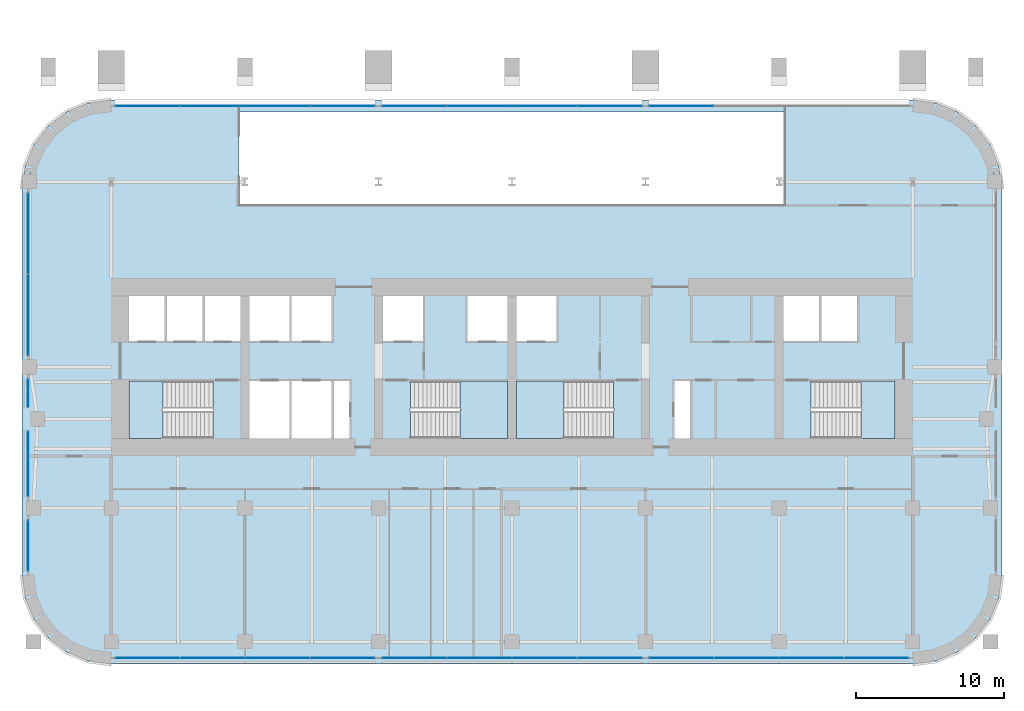
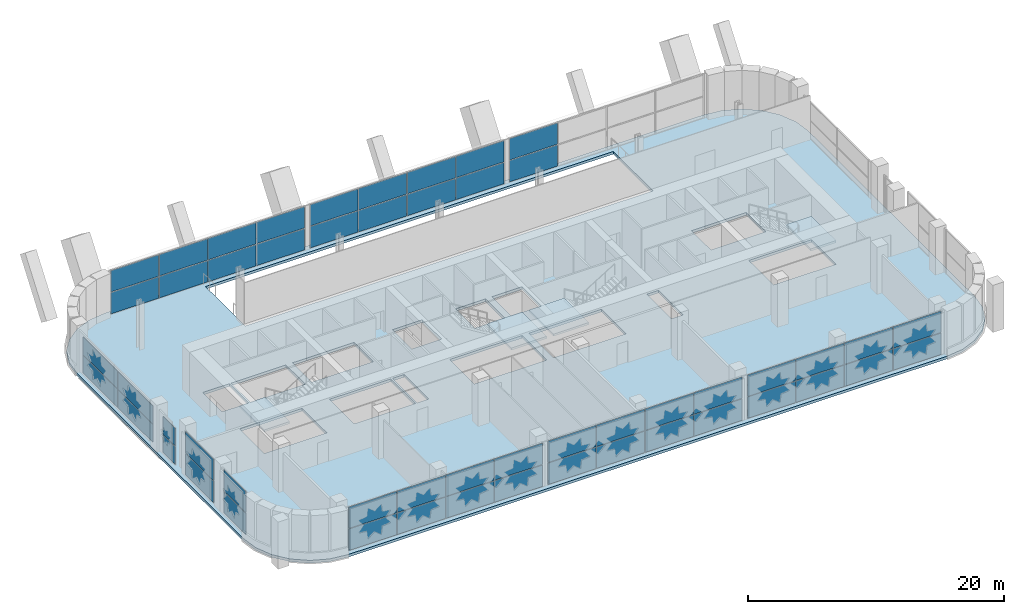
# One storey, part 11 of 21: 52 plates, 5 slabs, 14 elements without a shape of their own.
"""IFC4 building model written with IfcOpenShell, lengths in metres."""

from ifc_helpers import new_model, si_unit, direction, frame, origin, origin_2d, place, context, subcontext, project, spatial, polyline, rectangle, outline, extrude, material, layer, layer_set, type_object, element, aggregate, save


model = new_model("IFC4")

# Units and contexts
model_context = context("Model", 3, precision=1e-05, world=origin(), true_north=direction((0.0, 1.0)))
body_context = subcontext(model_context, "Body", "Model", "MODEL_VIEW")
ifc_project = project(units=[si_unit("LENGTHUNIT", "METRE"), si_unit("AREAUNIT", "SQUARE_METRE"), si_unit("VOLUMEUNIT", "CUBIC_METRE"), si_unit("PLANEANGLEUNIT", "RADIAN"), si_unit("MASSUNIT", "GRAM", prefix="KILO")], contexts=[model_context])

# Site, building, storey
site_placement = place(None, origin())
site = spatial("IfcSite", under=ifc_project, at=site_placement, CompositionType="ELEMENT")
building_placement = place(site_placement, origin())
building = spatial("IfcBuilding", under=site, at=building_placement, Name="Zellij Exchange Tower", CompositionType="ELEMENT")
storey_placement = place(building_placement, frame((0.0, 0.0, 43.5)))
storey = spatial("IfcBuildingStorey", under=building, at=storey_placement, Name="L07", CompositionType="ELEMENT", Elevation=43.5)

# Stair, slab
ifc_material_1 = material(Name="Concrete C40/50", Category="concrete")
stair_type = type_object("IfcStairType", Name="CORE-ST exit stair 1850 wide", PredefinedType="HALF_TURN_STAIR", material=ifc_material_1)
stair_1_placement = place(storey_placement, origin())
stair_1 = element("IfcStair", 1, at=stair_1_placement, inside=storey, type_object=stair_type, Name="L07 exit stair ST1", PredefinedType="HALF_TURN_STAIR")
ifc_layer_1 = layer(ifc_material_1, 0.199951171875)
ifc_layer_set_1 = layer_set([ifc_layer_1], Name="Concrete C40/50")
slab_type_1 = type_object("IfcSlabType", Name="CORE-SL stair landing 200", PredefinedType="LANDING", material=ifc_layer_set_1)
slab_1_placement = place(storey_placement, frame((0.0, 0.0, 2.050048828125)))
slab_1 = element("IfcSlab", 2, at=slab_1_placement, type_object=slab_type_1, Name="ST1 landing 1", PredefinedType="LANDING", context=body_context, shape_type="SweptSolid", body=[
    extrude(outline(polyline([(-23.510009765625, -8.949951171875), (-25.800048828125, -8.949951171875), (-25.800048828125, -12.800048828125), (-23.510009765625, -12.800048828125), (-23.510009765625, -8.949951171875)])), origin(), (0.0, 0.0, 1.0), 0.199951171875),
])
aggregate(stair_1, [slab_1])

stair_2_placement = place(storey_placement, origin())
stair_2 = element("IfcStair", 3, at=stair_2_placement, inside=storey, type_object=stair_type, Name="L07 exit stair ST2", PredefinedType="HALF_TURN_STAIR")
slab_2_placement = place(storey_placement, frame((0.0, 0.0, 2.050048828125)))
slab_2 = element("IfcSlab", 4, at=slab_2_placement, type_object=slab_type_1, Name="ST2 landing 1", PredefinedType="LANDING", context=body_context, shape_type="SweptSolid", body=[
    extrude(outline(polyline([(-3.489990234375, -12.800048828125), (-0.300048828125, -12.800048828125), (-0.300048828125, -8.949951171875), (-3.489990234375, -8.949951171875), (-3.489990234375, -12.800048828125)])), origin(), (0.0, 0.0, 1.0), 0.199951171875),
])
aggregate(stair_2, [slab_2])

stair_3_placement = place(storey_placement, origin())
stair_3 = element("IfcStair", 5, at=stair_3_placement, inside=storey, type_object=stair_type, Name="L07 exit stair ST3", PredefinedType="HALF_TURN_STAIR")
slab_3_placement = place(storey_placement, frame((0.0, 0.0, 2.050048828125)))
slab_3 = element("IfcSlab", 6, at=slab_3_placement, type_object=slab_type_1, Name="ST3 landing 1", PredefinedType="LANDING", context=body_context, shape_type="SweptSolid", body=[
    extrude(outline(polyline([(3.489990234375, -8.949951171875), (0.300048828125, -8.949951171875), (0.300048828125, -12.800048828125), (3.489990234375, -12.800048828125), (3.489990234375, -8.949951171875)])), origin(), (0.0, 0.0, 1.0), 0.199951171875),
])
aggregate(stair_3, [slab_3])

stair_4_placement = place(storey_placement, origin())
stair_4 = element("IfcStair", 7, at=stair_4_placement, inside=storey, type_object=stair_type, Name="L07 exit stair ST4", PredefinedType="HALF_TURN_STAIR")
slab_4_placement = place(storey_placement, frame((0.0, 0.0, 2.050048828125)))
slab_4 = element("IfcSlab", 8, at=slab_4_placement, type_object=slab_type_1, Name="ST4 landing 1", PredefinedType="LANDING", context=body_context, shape_type="SweptSolid", body=[
    extrude(outline(polyline([(23.510009765625, -12.800048828125), (25.800048828125, -12.800048828125), (25.800048828125, -8.949951171875), (23.510009765625, -8.949951171875), (23.510009765625, -12.800048828125)])), origin(), (0.0, 0.0, 1.0), 0.199951171875),
])
aggregate(stair_4, [slab_4])

# Curtain wall, plates
ifc_material_2 = material(Name="Aluminium frame, clear insulating glass", Category="aluminium")
curtain_wall_type = type_object("IfcCurtainWallType", Name="ENV-CW1 Sky-garden glazing", PredefinedType="NOTDEFINED", material=ifc_material_2)
curtain_wall_1_placement = place(storey_placement, origin())
curtain_wall_1 = element("IfcCurtainWall", 9, at=curtain_wall_1_placement, inside=storey, type_object=curtain_wall_type, Name="cw.L07.00a", PredefinedType="NOTDEFINED")
ifc_material_3 = material(Name="Insulating glass unit, clear", Category="glass")
ifc_layer_2 = layer(ifc_material_3, 0.031982421875)
ifc_layer_set_2 = layer_set([ifc_layer_2], Name="Insulating glass unit, clear")
plate_type = type_object("IfcPlateType", Name="ENV-CW1P Glazed panel 32", PredefinedType="CURTAIN_PANEL", material=ifc_layer_set_2)
plate_1_placement = place(storey_placement, frame((-24.56201171875, -27.60009765625, 0.06005859375), z_axis=(0.0, 0.0, 1.0), x_axis=(1.0, 0.0, 0.0)))
plate_1 = element("IfcPlate", 10, at=plate_1_placement, type_object=plate_type, Name="CW1 panel 1.1", PredefinedType="CURTAIN_PANEL", context=body_context, shape_type="SweptSolid", body=[
    extrude(rectangle(XDim=4.303466796875, YDim=0.031982421875, at=origin_2d()), origin(), (0.0, 0.0, 1.0), 2.034912109375),
])
plate_2_placement = place(storey_placement, frame((-24.56201171875, -27.60009765625, 2.1552734375), z_axis=(0.0, 0.0, 1.0), x_axis=(1.0, 0.0, 0.0)))
plate_2 = element("IfcPlate", 11, at=plate_2_placement, type_object=plate_type, Name="CW1 panel 1.2", PredefinedType="CURTAIN_PANEL", context=body_context, shape_type="SweptSolid", body=[
    extrude(rectangle(XDim=4.303466796875, YDim=0.031982421875, at=origin_2d()), origin(), (0.0, 0.0, 1.0), 2.034912109375),
])
plate_3_placement = place(storey_placement, frame((-20.18359375, -27.60009765625, 0.06005859375), z_axis=(0.0, 0.0, 1.0), x_axis=(1.0, 0.0, 0.0)))
plate_3 = element("IfcPlate", 12, at=plate_3_placement, type_object=plate_type, Name="CW1 panel 2.1", PredefinedType="CURTAIN_PANEL", context=body_context, shape_type="SweptSolid", body=[
    extrude(rectangle(XDim=4.33349609375, YDim=0.031982421875, at=origin_2d()), origin(), (0.0, 0.0, 1.0), 2.034912109375),
])
plate_4_placement = place(storey_placement, frame((-20.18359375, -27.60009765625, 2.1552734375), z_axis=(0.0, 0.0, 1.0), x_axis=(1.0, 0.0, 0.0)))
plate_4 = element("IfcPlate", 13, at=plate_4_placement, type_object=plate_type, Name="CW1 panel 2.2", PredefinedType="CURTAIN_PANEL", context=body_context, shape_type="SweptSolid", body=[
    extrude(rectangle(XDim=4.33349609375, YDim=0.031982421875, at=origin_2d()), origin(), (0.0, 0.0, 1.0), 2.034912109375),
])
plate_5_placement = place(storey_placement, frame((-15.790283203125, -27.60009765625, 0.06005859375), z_axis=(0.0, 0.0, 1.0), x_axis=(1.0, 0.0, 0.0)))
plate_5 = element("IfcPlate", 14, at=plate_5_placement, type_object=plate_type, Name="CW1 panel 3.1", PredefinedType="CURTAIN_PANEL", context=body_context, shape_type="SweptSolid", body=[
    extrude(rectangle(XDim=4.33349609375, YDim=0.031982421875, at=origin_2d()), origin(), (0.0, 0.0, 1.0), 2.034912109375),
])
plate_6_placement = place(storey_placement, frame((-15.790283203125, -27.60009765625, 2.1552734375), z_axis=(0.0, 0.0, 1.0), x_axis=(1.0, 0.0, 0.0)))
plate_6 = element("IfcPlate", 15, at=plate_6_placement, type_object=plate_type, Name="CW1 panel 3.2", PredefinedType="CURTAIN_PANEL", context=body_context, shape_type="SweptSolid", body=[
    extrude(rectangle(XDim=4.33349609375, YDim=0.031982421875, at=origin_2d()), origin(), (0.0, 0.0, 1.0), 2.034912109375),
])
plate_7_placement = place(storey_placement, frame((-11.41162109375, -27.60009765625, 0.06005859375), z_axis=(0.0, 0.0, 1.0), x_axis=(1.0, 0.0, 0.0)))
plate_7 = element("IfcPlate", 16, at=plate_7_placement, type_object=plate_type, Name="CW1 panel 4.1", PredefinedType="CURTAIN_PANEL", context=body_context, shape_type="SweptSolid", body=[
    extrude(rectangle(XDim=4.303466796875, YDim=0.031982421875, at=origin_2d()), origin(), (0.0, 0.0, 1.0), 2.034912109375),
])
plate_8_placement = place(storey_placement, frame((-11.41162109375, -27.60009765625, 2.1552734375), z_axis=(0.0, 0.0, 1.0), x_axis=(1.0, 0.0, 0.0)))
plate_8 = element("IfcPlate", 17, at=plate_8_placement, type_object=plate_type, Name="CW1 panel 4.2", PredefinedType="CURTAIN_PANEL", context=body_context, shape_type="SweptSolid", body=[
    extrude(rectangle(XDim=4.303466796875, YDim=0.031982421875, at=origin_2d()), origin(), (0.0, 0.0, 1.0), 2.034912109375),
])
aggregate(curtain_wall_1, [plate_1, plate_2, plate_3, plate_4, plate_5, plate_6, plate_7, plate_8])

curtain_wall_2_placement = place(storey_placement, origin())
curtain_wall_2 = element("IfcCurtainWall", 18, at=curtain_wall_2_placement, inside=storey, type_object=curtain_wall_type, Name="cw.L07.00b", PredefinedType="NOTDEFINED")
plate_9_placement = place(storey_placement, frame((-6.5849609375, -27.60009765625, 0.06005859375), z_axis=(0.0, 0.0, 1.0), x_axis=(1.0, 0.0, 0.0)))
plate_9 = element("IfcPlate", 19, at=plate_9_placement, type_object=plate_type, Name="CW1 panel 1.1", PredefinedType="CURTAIN_PANEL", context=body_context, shape_type="SweptSolid", body=[
    extrude(rectangle(XDim=4.31005859375, YDim=0.031982421875, at=origin_2d()), origin(), (0.0, 0.0, 1.0), 2.034912109375),
])
plate_10_placement = place(storey_placement, frame((-6.5849609375, -27.60009765625, 2.1552734375), z_axis=(0.0, 0.0, 1.0), x_axis=(1.0, 0.0, 0.0)))
plate_10 = element("IfcPlate", 20, at=plate_10_placement, type_object=plate_type, Name="CW1 panel 1.2", PredefinedType="CURTAIN_PANEL", context=body_context, shape_type="SweptSolid", body=[
    extrude(rectangle(XDim=4.31005859375, YDim=0.031982421875, at=origin_2d()), origin(), (0.0, 0.0, 1.0), 2.034912109375),
])
plate_11_placement = place(storey_placement, frame((-2.199951171875, -27.60009765625, 0.06005859375), z_axis=(0.0, 0.0, 1.0), x_axis=(1.0, 0.0, 0.0)))
plate_11 = element("IfcPlate", 21, at=plate_11_placement, type_object=plate_type, Name="CW1 panel 2.1", PredefinedType="CURTAIN_PANEL", context=body_context, shape_type="SweptSolid", body=[
    extrude(rectangle(XDim=4.340087890625, YDim=0.031982421875, at=origin_2d()), origin(), (0.0, 0.0, 1.0), 2.034912109375),
])
plate_12_placement = place(storey_placement, frame((-2.199951171875, -27.60009765625, 2.1552734375), z_axis=(0.0, 0.0, 1.0), x_axis=(1.0, 0.0, 0.0)))
plate_12 = element("IfcPlate", 22, at=plate_12_placement, type_object=plate_type, Name="CW1 panel 2.2", PredefinedType="CURTAIN_PANEL", context=body_context, shape_type="SweptSolid", body=[
    extrude(rectangle(XDim=4.340087890625, YDim=0.031982421875, at=origin_2d()), origin(), (0.0, 0.0, 1.0), 2.034912109375),
])
plate_13_placement = place(storey_placement, frame((2.199951171875, -27.60009765625, 0.06005859375), z_axis=(0.0, 0.0, 1.0), x_axis=(1.0, 0.0, 0.0)))
plate_13 = element("IfcPlate", 23, at=plate_13_placement, type_object=plate_type, Name="CW1 panel 3.1", PredefinedType="CURTAIN_PANEL", context=body_context, shape_type="SweptSolid", body=[
    extrude(rectangle(XDim=4.340087890625, YDim=0.031982421875, at=origin_2d()), origin(), (0.0, 0.0, 1.0), 2.034912109375),
])
plate_14_placement = place(storey_placement, frame((2.199951171875, -27.60009765625, 2.1552734375), z_axis=(0.0, 0.0, 1.0), x_axis=(1.0, 0.0, 0.0)))
plate_14 = element("IfcPlate", 24, at=plate_14_placement, type_object=plate_type, Name="CW1 panel 3.2", PredefinedType="CURTAIN_PANEL", context=body_context, shape_type="SweptSolid", body=[
    extrude(rectangle(XDim=4.340087890625, YDim=0.031982421875, at=origin_2d()), origin(), (0.0, 0.0, 1.0), 2.034912109375),
])
plate_15_placement = place(storey_placement, frame((6.5849609375, -27.60009765625, 0.06005859375), z_axis=(0.0, 0.0, 1.0), x_axis=(1.0, 0.0, 0.0)))
plate_15 = element("IfcPlate", 25, at=plate_15_placement, type_object=plate_type, Name="CW1 panel 4.1", PredefinedType="CURTAIN_PANEL", context=body_context, shape_type="SweptSolid", body=[
    extrude(rectangle(XDim=4.31005859375, YDim=0.031982421875, at=origin_2d()), origin(), (0.0, 0.0, 1.0), 2.034912109375),
])
plate_16_placement = place(storey_placement, frame((6.5849609375, -27.60009765625, 2.1552734375), z_axis=(0.0, 0.0, 1.0), x_axis=(1.0, 0.0, 0.0)))
plate_16 = element("IfcPlate", 26, at=plate_16_placement, type_object=plate_type, Name="CW1 panel 4.2", PredefinedType="CURTAIN_PANEL", context=body_context, shape_type="SweptSolid", body=[
    extrude(rectangle(XDim=4.31005859375, YDim=0.031982421875, at=origin_2d()), origin(), (0.0, 0.0, 1.0), 2.034912109375),
])
aggregate(curtain_wall_2, [plate_9, plate_10, plate_11, plate_12, plate_13, plate_14, plate_15, plate_16])

curtain_wall_3_placement = place(storey_placement, origin())
curtain_wall_3 = element("IfcCurtainWall", 27, at=curtain_wall_3_placement, inside=storey, type_object=curtain_wall_type, Name="cw.L07.00c", PredefinedType="NOTDEFINED")
plate_17_placement = place(storey_placement, frame((11.41162109375, -27.60009765625, 0.06005859375), z_axis=(0.0, 0.0, 1.0), x_axis=(1.0, 0.0, 0.0)))
plate_17 = element("IfcPlate", 28, at=plate_17_placement, type_object=plate_type, Name="CW1 panel 1.1", PredefinedType="CURTAIN_PANEL", context=body_context, shape_type="SweptSolid", body=[
    extrude(rectangle(XDim=4.303466796875, YDim=0.031982421875, at=origin_2d()), origin(), (0.0, 0.0, 1.0), 2.034912109375),
])
plate_18_placement = place(storey_placement, frame((11.41162109375, -27.60009765625, 2.1552734375), z_axis=(0.0, 0.0, 1.0), x_axis=(1.0, 0.0, 0.0)))
plate_18 = element("IfcPlate", 29, at=plate_18_placement, type_object=plate_type, Name="CW1 panel 1.2", PredefinedType="CURTAIN_PANEL", context=body_context, shape_type="SweptSolid", body=[
    extrude(rectangle(XDim=4.303466796875, YDim=0.031982421875, at=origin_2d()), origin(), (0.0, 0.0, 1.0), 2.034912109375),
])
plate_19_placement = place(storey_placement, frame((15.790283203125, -27.60009765625, 0.06005859375), z_axis=(0.0, 0.0, 1.0), x_axis=(1.0, 0.0, 0.0)))
plate_19 = element("IfcPlate", 30, at=plate_19_placement, type_object=plate_type, Name="CW1 panel 2.1", PredefinedType="CURTAIN_PANEL", context=body_context, shape_type="SweptSolid", body=[
    extrude(rectangle(XDim=4.33349609375, YDim=0.031982421875, at=origin_2d()), origin(), (0.0, 0.0, 1.0), 2.034912109375),
])
plate_20_placement = place(storey_placement, frame((15.790283203125, -27.60009765625, 2.1552734375), z_axis=(0.0, 0.0, 1.0), x_axis=(1.0, 0.0, 0.0)))
plate_20 = element("IfcPlate", 31, at=plate_20_placement, type_object=plate_type, Name="CW1 panel 2.2", PredefinedType="CURTAIN_PANEL", context=body_context, shape_type="SweptSolid", body=[
    extrude(rectangle(XDim=4.33349609375, YDim=0.031982421875, at=origin_2d()), origin(), (0.0, 0.0, 1.0), 2.034912109375),
])
plate_21_placement = place(storey_placement, frame((20.18359375, -27.60009765625, 0.06005859375), z_axis=(0.0, 0.0, 1.0), x_axis=(1.0, 0.0, 0.0)))
plate_21 = element("IfcPlate", 32, at=plate_21_placement, type_object=plate_type, Name="CW1 panel 3.1", PredefinedType="CURTAIN_PANEL", context=body_context, shape_type="SweptSolid", body=[
    extrude(rectangle(XDim=4.33349609375, YDim=0.031982421875, at=origin_2d()), origin(), (0.0, 0.0, 1.0), 2.034912109375),
])
plate_22_placement = place(storey_placement, frame((20.18359375, -27.60009765625, 2.1552734375), z_axis=(0.0, 0.0, 1.0), x_axis=(1.0, 0.0, 0.0)))
plate_22 = element("IfcPlate", 33, at=plate_22_placement, type_object=plate_type, Name="CW1 panel 3.2", PredefinedType="CURTAIN_PANEL", context=body_context, shape_type="SweptSolid", body=[
    extrude(rectangle(XDim=4.33349609375, YDim=0.031982421875, at=origin_2d()), origin(), (0.0, 0.0, 1.0), 2.034912109375),
])
plate_23_placement = place(storey_placement, frame((24.56201171875, -27.60009765625, 0.06005859375), z_axis=(0.0, 0.0, 1.0), x_axis=(1.0, 0.0, 0.0)))
plate_23 = element("IfcPlate", 34, at=plate_23_placement, type_object=plate_type, Name="CW1 panel 4.1", PredefinedType="CURTAIN_PANEL", context=body_context, shape_type="SweptSolid", body=[
    extrude(rectangle(XDim=4.303466796875, YDim=0.031982421875, at=origin_2d()), origin(), (0.0, 0.0, 1.0), 2.034912109375),
])
plate_24_placement = place(storey_placement, frame((24.56201171875, -27.60009765625, 2.1552734375), z_axis=(0.0, 0.0, 1.0), x_axis=(1.0, 0.0, 0.0)))
plate_24 = element("IfcPlate", 35, at=plate_24_placement, type_object=plate_type, Name="CW1 panel 4.2", PredefinedType="CURTAIN_PANEL", context=body_context, shape_type="SweptSolid", body=[
    extrude(rectangle(XDim=4.303466796875, YDim=0.031982421875, at=origin_2d()), origin(), (0.0, 0.0, 1.0), 2.034912109375),
])
aggregate(curtain_wall_3, [plate_17, plate_18, plate_19, plate_20, plate_21, plate_22, plate_23, plate_24])

curtain_wall_4_placement = place(storey_placement, origin())
curtain_wall_4 = element("IfcCurtainWall", 36, at=curtain_wall_4_placement, inside=storey, type_object=curtain_wall_type, Name="cw.L07.14a", PredefinedType="NOTDEFINED")
plate_25_placement = place(storey_placement, frame((11.41162109375, 9.60009765625, 0.06005859375), z_axis=(0.0, 0.0, 1.0), x_axis=(-1.0, 0.0, 0.0)))
plate_25 = element("IfcPlate", 37, at=plate_25_placement, type_object=plate_type, Name="CW1 panel 4.1", PredefinedType="CURTAIN_PANEL", context=body_context, shape_type="SweptSolid", body=[
    extrude(rectangle(XDim=4.303466796875, YDim=0.031982421875, at=origin_2d()), origin(), (0.0, 0.0, 1.0), 2.034912109375),
])
plate_26_placement = place(storey_placement, frame((11.41162109375, 9.60009765625, 2.1552734375), z_axis=(0.0, 0.0, 1.0), x_axis=(-1.0, 0.0, 0.0)))
plate_26 = element("IfcPlate", 38, at=plate_26_placement, type_object=plate_type, Name="CW1 panel 4.2", PredefinedType="CURTAIN_PANEL", context=body_context, shape_type="SweptSolid", body=[
    extrude(rectangle(XDim=4.303466796875, YDim=0.031982421875, at=origin_2d()), origin(), (0.0, 0.0, 1.0), 2.034912109375),
])
aggregate(curtain_wall_4, [plate_25, plate_26])

curtain_wall_5_placement = place(storey_placement, origin())
curtain_wall_5 = element("IfcCurtainWall", 39, at=curtain_wall_5_placement, inside=storey, type_object=curtain_wall_type, Name="cw.L07.14b", PredefinedType="NOTDEFINED")
plate_27_placement = place(storey_placement, frame((6.5849609375, 9.60009765625, 0.06005859375), z_axis=(0.0, 0.0, 1.0), x_axis=(-1.0, 0.0, 0.0)))
plate_27 = element("IfcPlate", 40, at=plate_27_placement, type_object=plate_type, Name="CW1 panel 1.1", PredefinedType="CURTAIN_PANEL", context=body_context, shape_type="SweptSolid", body=[
    extrude(rectangle(XDim=4.31005859375, YDim=0.031982421875, at=origin_2d()), origin(), (0.0, 0.0, 1.0), 2.034912109375),
])
plate_28_placement = place(storey_placement, frame((6.5849609375, 9.60009765625, 2.1552734375), z_axis=(0.0, 0.0, 1.0), x_axis=(-1.0, 0.0, 0.0)))
plate_28 = element("IfcPlate", 41, at=plate_28_placement, type_object=plate_type, Name="CW1 panel 1.2", PredefinedType="CURTAIN_PANEL", context=body_context, shape_type="SweptSolid", body=[
    extrude(rectangle(XDim=4.31005859375, YDim=0.031982421875, at=origin_2d()), origin(), (0.0, 0.0, 1.0), 2.034912109375),
])
plate_29_placement = place(storey_placement, frame((2.199951171875, 9.60009765625, 0.06005859375), z_axis=(0.0, 0.0, 1.0), x_axis=(-1.0, 0.0, 0.0)))
plate_29 = element("IfcPlate", 42, at=plate_29_placement, type_object=plate_type, Name="CW1 panel 2.1", PredefinedType="CURTAIN_PANEL", context=body_context, shape_type="SweptSolid", body=[
    extrude(rectangle(XDim=4.340087890625, YDim=0.031982421875, at=origin_2d()), origin(), (0.0, 0.0, 1.0), 2.034912109375),
])
plate_30_placement = place(storey_placement, frame((2.199951171875, 9.60009765625, 2.1552734375), z_axis=(0.0, 0.0, 1.0), x_axis=(-1.0, 0.0, 0.0)))
plate_30 = element("IfcPlate", 43, at=plate_30_placement, type_object=plate_type, Name="CW1 panel 2.2", PredefinedType="CURTAIN_PANEL", context=body_context, shape_type="SweptSolid", body=[
    extrude(rectangle(XDim=4.340087890625, YDim=0.031982421875, at=origin_2d()), origin(), (0.0, 0.0, 1.0), 2.034912109375),
])
plate_31_placement = place(storey_placement, frame((-2.199951171875, 9.60009765625, 0.06005859375), z_axis=(0.0, 0.0, 1.0), x_axis=(-1.0, 0.0, 0.0)))
plate_31 = element("IfcPlate", 44, at=plate_31_placement, type_object=plate_type, Name="CW1 panel 3.1", PredefinedType="CURTAIN_PANEL", context=body_context, shape_type="SweptSolid", body=[
    extrude(rectangle(XDim=4.340087890625, YDim=0.031982421875, at=origin_2d()), origin(), (0.0, 0.0, 1.0), 2.034912109375),
])
plate_32_placement = place(storey_placement, frame((-2.199951171875, 9.60009765625, 2.1552734375), z_axis=(0.0, 0.0, 1.0), x_axis=(-1.0, 0.0, 0.0)))
plate_32 = element("IfcPlate", 45, at=plate_32_placement, type_object=plate_type, Name="CW1 panel 3.2", PredefinedType="CURTAIN_PANEL", context=body_context, shape_type="SweptSolid", body=[
    extrude(rectangle(XDim=4.340087890625, YDim=0.031982421875, at=origin_2d()), origin(), (0.0, 0.0, 1.0), 2.034912109375),
])
plate_33_placement = place(storey_placement, frame((-6.5849609375, 9.60009765625, 0.06005859375), z_axis=(0.0, 0.0, 1.0), x_axis=(-1.0, 0.0, 0.0)))
plate_33 = element("IfcPlate", 46, at=plate_33_placement, type_object=plate_type, Name="CW1 panel 4.1", PredefinedType="CURTAIN_PANEL", context=body_context, shape_type="SweptSolid", body=[
    extrude(rectangle(XDim=4.31005859375, YDim=0.031982421875, at=origin_2d()), origin(), (0.0, 0.0, 1.0), 2.034912109375),
])
plate_34_placement = place(storey_placement, frame((-6.5849609375, 9.60009765625, 2.1552734375), z_axis=(0.0, 0.0, 1.0), x_axis=(-1.0, 0.0, 0.0)))
plate_34 = element("IfcPlate", 47, at=plate_34_placement, type_object=plate_type, Name="CW1 panel 4.2", PredefinedType="CURTAIN_PANEL", context=body_context, shape_type="SweptSolid", body=[
    extrude(rectangle(XDim=4.31005859375, YDim=0.031982421875, at=origin_2d()), origin(), (0.0, 0.0, 1.0), 2.034912109375),
])
aggregate(curtain_wall_5, [plate_27, plate_28, plate_29, plate_30, plate_31, plate_32, plate_33, plate_34])

curtain_wall_6_placement = place(storey_placement, origin())
curtain_wall_6 = element("IfcCurtainWall", 48, at=curtain_wall_6_placement, inside=storey, type_object=curtain_wall_type, Name="cw.L07.14c", PredefinedType="NOTDEFINED")
plate_35_placement = place(storey_placement, frame((-11.41162109375, 9.60009765625, 0.06005859375), z_axis=(0.0, 0.0, 1.0), x_axis=(-1.0, 0.0, 0.0)))
plate_35 = element("IfcPlate", 49, at=plate_35_placement, type_object=plate_type, Name="CW1 panel 1.1", PredefinedType="CURTAIN_PANEL", context=body_context, shape_type="SweptSolid", body=[
    extrude(rectangle(XDim=4.303466796875, YDim=0.031982421875, at=origin_2d()), origin(), (0.0, 0.0, 1.0), 2.034912109375),
])
plate_36_placement = place(storey_placement, frame((-11.41162109375, 9.60009765625, 2.1552734375), z_axis=(0.0, 0.0, 1.0), x_axis=(-1.0, 0.0, 0.0)))
plate_36 = element("IfcPlate", 50, at=plate_36_placement, type_object=plate_type, Name="CW1 panel 1.2", PredefinedType="CURTAIN_PANEL", context=body_context, shape_type="SweptSolid", body=[
    extrude(rectangle(XDim=4.303466796875, YDim=0.031982421875, at=origin_2d()), origin(), (0.0, 0.0, 1.0), 2.034912109375),
])
plate_37_placement = place(storey_placement, frame((-15.790283203125, 9.60009765625, 0.06005859375), z_axis=(0.0, 0.0, 1.0), x_axis=(-1.0, 0.0, 0.0)))
plate_37 = element("IfcPlate", 51, at=plate_37_placement, type_object=plate_type, Name="CW1 panel 2.1", PredefinedType="CURTAIN_PANEL", context=body_context, shape_type="SweptSolid", body=[
    extrude(rectangle(XDim=4.33349609375, YDim=0.031982421875, at=origin_2d()), origin(), (0.0, 0.0, 1.0), 2.034912109375),
])
plate_38_placement = place(storey_placement, frame((-15.790283203125, 9.60009765625, 2.1552734375), z_axis=(0.0, 0.0, 1.0), x_axis=(-1.0, 0.0, 0.0)))
plate_38 = element("IfcPlate", 52, at=plate_38_placement, type_object=plate_type, Name="CW1 panel 2.2", PredefinedType="CURTAIN_PANEL", context=body_context, shape_type="SweptSolid", body=[
    extrude(rectangle(XDim=4.33349609375, YDim=0.031982421875, at=origin_2d()), origin(), (0.0, 0.0, 1.0), 2.034912109375),
])
plate_39_placement = place(storey_placement, frame((-20.18359375, 9.60009765625, 0.06005859375), z_axis=(0.0, 0.0, 1.0), x_axis=(-1.0, 0.0, 0.0)))
plate_39 = element("IfcPlate", 53, at=plate_39_placement, type_object=plate_type, Name="CW1 panel 3.1", PredefinedType="CURTAIN_PANEL", context=body_context, shape_type="SweptSolid", body=[
    extrude(rectangle(XDim=4.33349609375, YDim=0.031982421875, at=origin_2d()), origin(), (0.0, 0.0, 1.0), 2.034912109375),
])
plate_40_placement = place(storey_placement, frame((-20.18359375, 9.60009765625, 2.1552734375), z_axis=(0.0, 0.0, 1.0), x_axis=(-1.0, 0.0, 0.0)))
plate_40 = element("IfcPlate", 54, at=plate_40_placement, type_object=plate_type, Name="CW1 panel 3.2", PredefinedType="CURTAIN_PANEL", context=body_context, shape_type="SweptSolid", body=[
    extrude(rectangle(XDim=4.33349609375, YDim=0.031982421875, at=origin_2d()), origin(), (0.0, 0.0, 1.0), 2.034912109375),
])
plate_41_placement = place(storey_placement, frame((-24.56201171875, 9.60009765625, 0.06005859375), z_axis=(0.0, 0.0, 1.0), x_axis=(-1.0, 0.0, 0.0)))
plate_41 = element("IfcPlate", 55, at=plate_41_placement, type_object=plate_type, Name="CW1 panel 4.1", PredefinedType="CURTAIN_PANEL", context=body_context, shape_type="SweptSolid", body=[
    extrude(rectangle(XDim=4.303466796875, YDim=0.031982421875, at=origin_2d()), origin(), (0.0, 0.0, 1.0), 2.034912109375),
])
plate_42_placement = place(storey_placement, frame((-24.56201171875, 9.60009765625, 2.1552734375), z_axis=(0.0, 0.0, 1.0), x_axis=(-1.0, 0.0, 0.0)))
plate_42 = element("IfcPlate", 56, at=plate_42_placement, type_object=plate_type, Name="CW1 panel 4.2", PredefinedType="CURTAIN_PANEL", context=body_context, shape_type="SweptSolid", body=[
    extrude(rectangle(XDim=4.303466796875, YDim=0.031982421875, at=origin_2d()), origin(), (0.0, 0.0, 1.0), 2.034912109375),
])
aggregate(curtain_wall_6, [plate_35, plate_36, plate_37, plate_38, plate_39, plate_40, plate_41, plate_42])

curtain_wall_7_placement = place(storey_placement, origin())
curtain_wall_7 = element("IfcCurtainWall", 57, at=curtain_wall_7_placement, inside=storey, type_object=curtain_wall_type, Name="cw.L07.21a", PredefinedType="NOTDEFINED")
plate_43_placement = place(storey_placement, frame((-32.60009765625, 1.0029296875, 0.06005859375), z_axis=(0.0, 0.0, 1.0), x_axis=(0.0, -1.0, 0.0)))
plate_43 = element("IfcPlate", 58, at=plate_43_placement, type_object=plate_type, Name="CW1 panel 1.1", PredefinedType="CURTAIN_PANEL", context=body_context, shape_type="SweptSolid", body=[
    extrude(rectangle(XDim=5.421875, YDim=0.031982421875, at=origin_2d()), origin(), (0.0, 0.0, 1.0), 1.69091796875),
])
plate_44_placement = place(storey_placement, frame((-32.60009765625, 1.0029296875, 1.810791015625), z_axis=(0.0, 0.0, 1.0), x_axis=(0.0, -1.0, 0.0)))
plate_44 = element("IfcPlate", 59, at=plate_44_placement, type_object=plate_type, Name="CW1 panel 1.2", PredefinedType="CURTAIN_PANEL", context=body_context, shape_type="SweptSolid", body=[
    extrude(rectangle(XDim=5.421875, YDim=0.031982421875, at=origin_2d()), origin(), (0.0, 0.0, 1.0), 1.69091796875),
])
plate_45_placement = place(storey_placement, frame((-32.60009765625, -4.47900390625, 0.06005859375), z_axis=(0.0, 0.0, 1.0), x_axis=(0.0, -1.0, 0.0)))
plate_45 = element("IfcPlate", 60, at=plate_45_placement, type_object=plate_type, Name="CW1 panel 2.1", PredefinedType="CURTAIN_PANEL", context=body_context, shape_type="SweptSolid", body=[
    extrude(rectangle(XDim=5.421875, YDim=0.031982421875, at=origin_2d()), origin(), (0.0, 0.0, 1.0), 1.69091796875),
])
plate_46_placement = place(storey_placement, frame((-32.60009765625, -4.47900390625, 1.810791015625), z_axis=(0.0, 0.0, 1.0), x_axis=(0.0, -1.0, 0.0)))
plate_46 = element("IfcPlate", 61, at=plate_46_placement, type_object=plate_type, Name="CW1 panel 2.2", PredefinedType="CURTAIN_PANEL", context=body_context, shape_type="SweptSolid", body=[
    extrude(rectangle(XDim=5.421875, YDim=0.031982421875, at=origin_2d()), origin(), (0.0, 0.0, 1.0), 1.69091796875),
])
aggregate(curtain_wall_7, [plate_43, plate_44, plate_45, plate_46])

curtain_wall_8_placement = place(storey_placement, origin())
curtain_wall_8 = element("IfcCurtainWall", 62, at=curtain_wall_8_placement, inside=storey, type_object=curtain_wall_type, Name="cw.L07.21b", PredefinedType="NOTDEFINED")
plate_47_placement = place(storey_placement, frame((-32.60009765625, -9.75, 0.06005859375), z_axis=(0.0, 0.0, 1.0), x_axis=(0.0, -1.0, 0.0)))
plate_47 = element("IfcPlate", 63, at=plate_47_placement, type_object=plate_type, Name="CW1 panel 1.1", PredefinedType="CURTAIN_PANEL", context=body_context, shape_type="SweptSolid", body=[
    extrude(rectangle(XDim=1.8798828125, YDim=0.031982421875, at=origin_2d()), origin(), (0.0, 0.0, 1.0), 1.69091796875),
])
plate_48_placement = place(storey_placement, frame((-32.60009765625, -9.75, 1.810791015625), z_axis=(0.0, 0.0, 1.0), x_axis=(0.0, -1.0, 0.0)))
plate_48 = element("IfcPlate", 64, at=plate_48_placement, type_object=plate_type, Name="CW1 panel 1.2", PredefinedType="CURTAIN_PANEL", context=body_context, shape_type="SweptSolid", body=[
    extrude(rectangle(XDim=1.8798828125, YDim=0.031982421875, at=origin_2d()), origin(), (0.0, 0.0, 1.0), 1.69091796875),
])
aggregate(curtain_wall_8, [plate_47, plate_48])

curtain_wall_9_placement = place(storey_placement, origin())
curtain_wall_9 = element("IfcCurtainWall", 65, at=curtain_wall_9_placement, inside=storey, type_object=curtain_wall_type, Name="cw.L07.21c", PredefinedType="NOTDEFINED")
plate_49_placement = place(storey_placement, frame((-32.60009765625, -14.5, 0.06005859375), z_axis=(0.0, 0.0, 1.0), x_axis=(0.0, -1.0, 0.0)))
plate_49 = element("IfcPlate", 66, at=plate_49_placement, type_object=plate_type, Name="CW1 panel 1.1", PredefinedType="CURTAIN_PANEL", context=body_context, shape_type="SweptSolid", body=[
    extrude(rectangle(XDim=4.3798828125, YDim=0.031982421875, at=origin_2d()), origin(), (0.0, 0.0, 1.0), 2.034912109375),
])
plate_50_placement = place(storey_placement, frame((-32.60009765625, -14.5, 2.1552734375), z_axis=(0.0, 0.0, 1.0), x_axis=(0.0, -1.0, 0.0)))
plate_50 = element("IfcPlate", 67, at=plate_50_placement, type_object=plate_type, Name="CW1 panel 1.2", PredefinedType="CURTAIN_PANEL", context=body_context, shape_type="SweptSolid", body=[
    extrude(rectangle(XDim=4.3798828125, YDim=0.031982421875, at=origin_2d()), origin(), (0.0, 0.0, 1.0), 2.034912109375),
])
aggregate(curtain_wall_9, [plate_49, plate_50])

curtain_wall_10_placement = place(storey_placement, origin())
curtain_wall_10 = element("IfcCurtainWall", 68, at=curtain_wall_10_placement, inside=storey, type_object=curtain_wall_type, Name="cw.L07.21d", PredefinedType="NOTDEFINED")
plate_51_placement = place(storey_placement, frame((-32.60009765625, -20.011962890625, 0.06005859375), z_axis=(0.0, 0.0, 1.0), x_axis=(0.0, -1.0, 0.0)))
plate_51 = element("IfcPlate", 69, at=plate_51_placement, type_object=plate_type, Name="CW1 panel 1.1", PredefinedType="CURTAIN_PANEL", context=body_context, shape_type="SweptSolid", body=[
    extrude(rectangle(XDim=3.40380859375, YDim=0.031982421875, at=origin_2d()), origin(), (0.0, 0.0, 1.0), 2.034912109375),
])
plate_52_placement = place(storey_placement, frame((-32.60009765625, -20.011962890625, 2.1552734375), z_axis=(0.0, 0.0, 1.0), x_axis=(0.0, -1.0, 0.0)))
plate_52 = element("IfcPlate", 70, at=plate_52_placement, type_object=plate_type, Name="CW1 panel 1.2", PredefinedType="CURTAIN_PANEL", context=body_context, shape_type="SweptSolid", body=[
    extrude(rectangle(XDim=3.40380859375, YDim=0.031982421875, at=origin_2d()), origin(), (0.0, 0.0, 1.0), 2.034912109375),
])
aggregate(curtain_wall_10, [plate_51, plate_52])

# Slab
ifc_layer_3 = layer(ifc_material_1, 0.25)
ifc_layer_set_3 = layer_set([ifc_layer_3], Name="Concrete C40/50")
slab_type_2 = type_object("IfcSlabType", Name="STR-FLOOR SLAB 250 C40/50", PredefinedType="FLOOR", material=ifc_layer_set_3)
slab_5_placement = place(storey_placement, frame((0.0, 0.0, -0.25)))
element("IfcSlab", 71, at=slab_5_placement, inside=storey, type_object=slab_type_2, Name="Floor L07", PredefinedType="FLOOR", context=body_context, shape_type="SweptSolid", body=[
    extrude(outline(polyline([(-27.0, -28.0), (-28.552978515625, -27.795654296875), (-30.0, -27.1962890625), (-31.24267578125, -26.24267578125), (-32.1962890625, -25.0), (-32.795654296875, -23.552978515625), (-33.0, -22.0), (-33.0, 4.0), (-32.795654296875, 5.552978515625), (-32.1962890625, 7.0), (-31.24267578125, 8.24267578125), (-30.0, 9.1962890625), (-28.552978515625, 9.795654296875), (-27.0, 10.0), (27.0, 10.0), (28.552978515625, 9.795654296875), (30.0, 9.1962890625), (31.24267578125, 8.24267578125), (32.1962890625, 7.0), (32.795654296875, 5.552978515625), (33.0, 4.0), (33.0, -22.0), (32.795654296875, -23.552978515625), (32.1962890625, -25.0), (31.24267578125, -26.24267578125), (30.0, -27.1962890625), (28.552978515625, -27.795654296875), (27.0, -28.0), (-27.0, -28.0)]), holes=[polyline([(-25.800048828125, -8.949951171875), (-25.800048828125, -12.800048828125), (-20.153076171875, -12.800048828125), (-20.153076171875, -8.949951171875), (-25.800048828125, -8.949951171875)]), polyline([(-12.14990234375, -8.949951171875), (-17.699951171875, -8.949951171875), (-17.699951171875, -12.800048828125), (-12.14990234375, -12.800048828125), (-12.14990234375, -8.949951171875)]), polyline([(-10.949951171875, -8.949951171875), (-12.0, -8.949951171875), (-12.0, -12.800048828125), (-10.949951171875, -12.800048828125), (-10.949951171875, -8.949951171875)]), polyline([(-0.300048828125, -8.949951171875), (-6.846923828125, -8.949951171875), (-6.846923828125, -12.800048828125), (-0.300048828125, -12.800048828125), (-0.300048828125, -8.949951171875)]), polyline([(-23.39990234375, -3.199951171875), (-25.800048828125, -3.199951171875), (-25.800048828125, -6.22509765625), (-23.39990234375, -6.22509765625), (-23.39990234375, -3.199951171875)]), polyline([(-18.300048828125, -3.199951171875), (-23.25, -3.199951171875), (-23.25, -6.22509765625), (-18.300048828125, -6.22509765625), (-18.300048828125, -3.199951171875)]), polyline([(-12.14990234375, -3.199951171875), (-17.699951171875, -3.199951171875), (-17.699951171875, -6.22509765625), (-12.14990234375, -6.22509765625), (-12.14990234375, -3.199951171875)]), polyline([(-6.0, -3.199951171875), (-8.699951171875, -3.199951171875), (-8.699951171875, -6.22509765625), (-6.0, -6.22509765625), (-6.0, -3.199951171875)]), polyline([(6.846923828125, -8.949951171875), (0.300048828125, -8.949951171875), (0.300048828125, -12.800048828125), (6.846923828125, -12.800048828125), (6.846923828125, -8.949951171875)]), polyline([(12.0, -8.949951171875), (10.949951171875, -8.949951171875), (10.949951171875, -12.800048828125), (12.0, -12.800048828125), (12.0, -8.949951171875)]), polyline([(25.800048828125, -8.949951171875), (20.153076171875, -8.949951171875), (20.153076171875, -12.800048828125), (25.800048828125, -12.800048828125), (25.800048828125, -8.949951171875)]), polyline([(-0.300048828125, -3.199951171875), (-3.0, -3.199951171875), (-3.0, -6.22509765625), (-0.300048828125, -6.22509765625), (-0.300048828125, -3.199951171875)]), polyline([(3.0, -3.199951171875), (0.300048828125, -3.199951171875), (0.300048828125, -6.22509765625), (3.0, -6.22509765625), (3.0, -3.199951171875)]), polyline([(23.25, -3.199951171875), (18.300048828125, -3.199951171875), (18.300048828125, -6.22509765625), (23.25, -6.22509765625), (23.25, -3.199951171875)]), polyline([(18.39990234375, 9.199951171875), (-18.39990234375, 9.199951171875), (-18.39990234375, 3.0), (18.39990234375, 3.0), (18.39990234375, 9.199951171875)])]), origin(), (0.0, 0.0, 1.0), 0.25),
])

save(model, "model.ifc")
